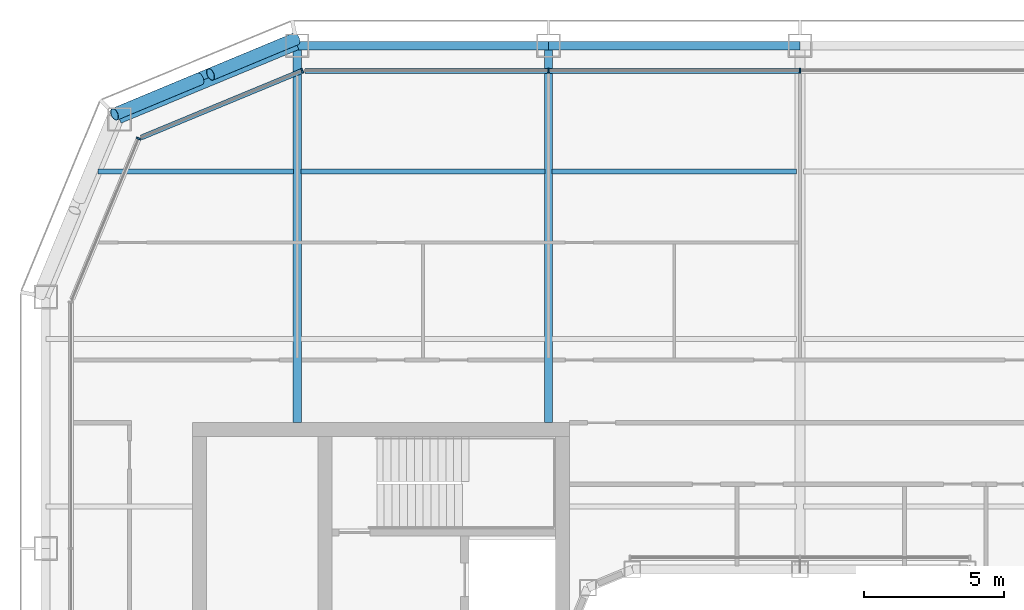
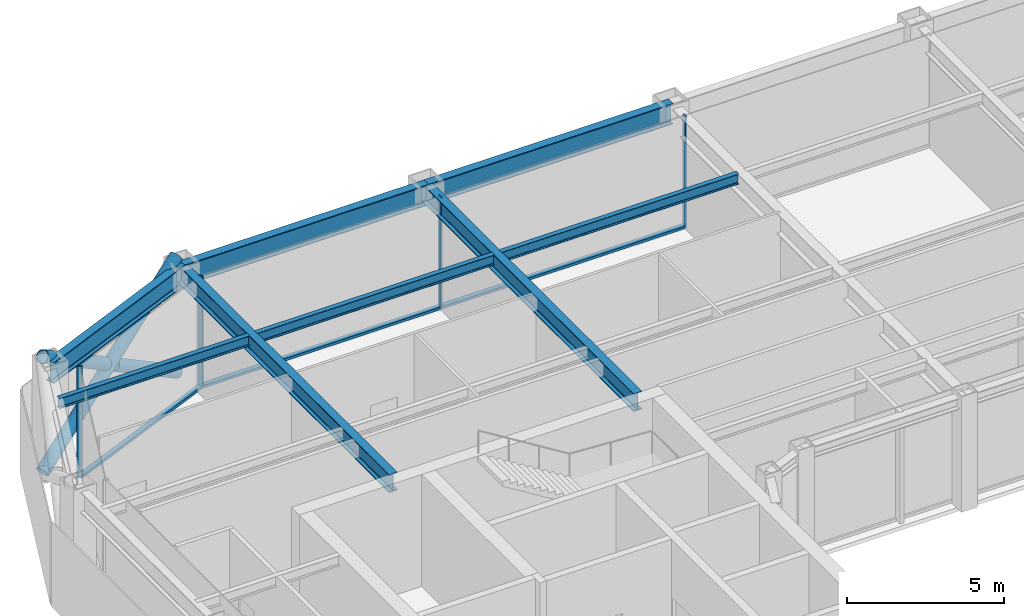
# One storey, part 8 of 19: 10 members, 8 beams, 3 elements without a shape of their own.
"""IFC4 building model written with IfcOpenShell, lengths in metres."""

from ifc_helpers import new_model, si_unit, direction, frame, origin, origin_2d, place, context, subcontext, project, spatial, rectangle, hollow_circle, i_section, extrude, material, layer, layer_set, material_profile, profile_set, type_object, element, aggregate, save


model = new_model("IFC4")

# Units and contexts
model_context = context("Model", 3, precision=1e-05, world=origin(), true_north=direction((0.0, 1.0)))
body_context = subcontext(model_context, "Body", "Model", "MODEL_VIEW")
ifc_project = project(units=[si_unit("LENGTHUNIT", "METRE"), si_unit("AREAUNIT", "SQUARE_METRE"), si_unit("VOLUMEUNIT", "CUBIC_METRE"), si_unit("PLANEANGLEUNIT", "RADIAN"), si_unit("MASSUNIT", "GRAM", prefix="KILO")], contexts=[model_context])

# Site, building, storey
site_placement = place(None, origin())
site = spatial("IfcSite", under=ifc_project, at=site_placement, CompositionType="ELEMENT")
building_placement = place(site_placement, origin())
building = spatial("IfcBuilding", under=site, at=building_placement, Name="Siwar Civic Tower", CompositionType="ELEMENT")
storey_placement = place(building_placement, frame((0.0, 0.0, 228.699951171875)))
storey = spatial("IfcBuildingStorey", under=building, at=storey_placement, Name="L49", CompositionType="ELEMENT", Elevation=228.699951171875)

# Curtain wall, members
ifc_material_1 = material(Name="Aluminium and glass", Category="aluminium")
ifc_layer_1 = layer(ifc_material_1, 0.179931640625)
ifc_layer_set_1 = layer_set([ifc_layer_1], Name="Aluminium and glass")
curtain_wall_type_1 = type_object("IfcCurtainWallType", Name="ENV-CW-C", PredefinedType="NOTDEFINED", material=ifc_layer_set_1)
curtain_wall_1_placement = place(storey_placement, origin())
curtain_wall_1 = element("IfcCurtainWall", 1, at=curtain_wall_1_placement, inside=storey, type_object=curtain_wall_type_1, Name="Curtain wall C N", PredefinedType="NOTDEFINED")
ifc_material_2 = material(Name="Aluminium 6063-T6", Category="aluminium")
ifc_material_profile_1 = material_profile(ifc_material_2, rectangle(XDim=0.179931640625, YDim=0.06005859375, at=origin_2d()), Name="AL 180x60")
ifc_profile_set_1 = profile_set([ifc_material_profile_1], Name="Aluminium 6063-T6")
member_type_1 = type_object("IfcMemberType", Name="ENV-MULLION-C", PredefinedType="MULLION", material=ifc_profile_set_1)
member_1_placement = place(storey_placement, frame((0.0, 26.10009765625, 0.0), z_axis=(0.0, 0.0, 1.0), x_axis=(0.0, -1.0, 0.0)))
member_1 = element("IfcMember", 2, at=member_1_placement, type_object=member_type_1, Name="Mullion C N 3", PredefinedType="MULLION", context=body_context, shape_type="SweptSolid", body=[
    extrude(rectangle(XDim=0.179931640625, YDim=0.06005859375, at=origin_2d()), origin(), (0.0, 0.0, 1.0), 4.35009765625),
])
member_2_placement = place(storey_placement, frame((-9.0, 26.10009765625, 0.0), z_axis=(0.0, 0.0, 1.0), x_axis=(0.0, -1.0, 0.0)))
member_2 = element("IfcMember", 3, at=member_2_placement, type_object=member_type_1, Name="Mullion C N 4", PredefinedType="MULLION", context=body_context, shape_type="SweptSolid", body=[
    extrude(rectangle(XDim=0.179931640625, YDim=0.06005859375, at=origin_2d()), origin(), (0.0, 0.0, 1.0), 4.35009765625),
])

# Curtain wall, member
ifc_material_3 = material(Name="Aluminium clad insulated panel", Category="aluminium")
ifc_layer_2 = layer(ifc_material_3, 0.179931640625)
ifc_layer_set_2 = layer_set([ifc_layer_2], Name="Aluminium clad insulated panel")
curtain_wall_type_2 = type_object("IfcCurtainWallType", Name="ENV-CW-CX", PredefinedType="NOTDEFINED", material=ifc_layer_set_2)
curtain_wall_2_placement = place(storey_placement, origin())
curtain_wall_2 = element("IfcCurtainWall", 4, at=curtain_wall_2_placement, inside=storey, type_object=curtain_wall_type_2, Name="Curtain wall C NW1", PredefinedType="NOTDEFINED")
member_3_placement = place(storey_placement, frame((-17.821044921875, 26.10009765625, 0.0), z_axis=(0.0, 0.0, 1.0), x_axis=(0.382683432365, -0.923879532511, 0.0)))
member_3 = element("IfcMember", 5, at=member_3_placement, type_object=member_type_1, Name="Mullion C NW1 1", PredefinedType="MULLION", context=body_context, shape_type="SweptSolid", body=[
    extrude(rectangle(XDim=0.179931640625, YDim=0.06005859375, at=origin_2d()), origin(), (0.0, 0.0, 1.0), 4.35009765625),
])

curtain_wall_3_placement = place(storey_placement, origin())
curtain_wall_3 = element("IfcCurtainWall", 6, at=curtain_wall_3_placement, inside=storey, type_object=curtain_wall_type_2, Name="Curtain wall C NW2", PredefinedType="NOTDEFINED")
member_4_placement = place(storey_placement, frame((-23.675048828125, 23.675048828125, 0.0), z_axis=(0.0, 0.0, 1.0), x_axis=(0.923879532511, -0.382683432365, 0.0)))
member_4 = element("IfcMember", 7, at=member_4_placement, type_object=member_type_1, Name="Mullion C NW2 1", PredefinedType="MULLION", context=body_context, shape_type="SweptSolid", body=[
    extrude(rectangle(XDim=0.179931640625, YDim=0.06005859375, at=origin_2d()), origin(), (0.0, 0.0, 1.0), 4.35009765625),
])
aggregate(curtain_wall_3, [member_4])

# Member
ifc_material_4 = material(Name="Aluminium 6063-T6", Category="aluminium")
ifc_material_profile_2 = material_profile(ifc_material_4, rectangle(XDim=0.179931640625, YDim=0.10009765625, at=origin_2d()), Name="AL 180x100")
ifc_profile_set_2 = profile_set([ifc_material_profile_2], Name="Aluminium 6063-T6")
member_type_2 = type_object("IfcMemberType", Name="ENV-TRANSOM-C", PredefinedType="USERDEFINED", material=ifc_profile_set_2)
member_5_placement = place(storey_placement, frame((-0.030029296875, 26.10009765625, 0.050048828125), z_axis=(-1.0, 0.0, 0.0), x_axis=(0.0, -1.0, 0.0)))
member_5 = element("IfcMember", 8, at=member_5_placement, type_object=member_type_2, Name="Transom C N 3", ObjectType="TRANSOM", PredefinedType="USERDEFINED", context=body_context, shape_type="SweptSolid", body=[
    extrude(rectangle(XDim=0.179931640625, YDim=0.10009765625, at=origin_2d()), origin(), (0.0, 0.0, 1.0), 8.93994140625),
])

member_6_placement = place(storey_placement, frame((-9.030029296875, 26.10009765625, 0.050048828125), z_axis=(-1.0, 0.0, 0.0), x_axis=(0.0, -1.0, 0.0)))
member_6 = element("IfcMember", 9, at=member_6_placement, type_object=member_type_2, Name="Transom C N 4", ObjectType="TRANSOM", PredefinedType="USERDEFINED", context=body_context, shape_type="SweptSolid", body=[
    extrude(rectangle(XDim=0.179931640625, YDim=0.10009765625, at=origin_2d()), origin(), (0.0, 0.0, 1.0), 8.68603515625),
])

aggregate(curtain_wall_1, [member_1, member_2, member_5, member_6])

member_7_placement = place(storey_placement, frame((-17.8486328125, 26.088623046875, 0.050048828125), z_axis=(-0.923882011223, -0.38267744817, 0.0), x_axis=(0.38267744817, -0.923882011223, 0.0)))
member_7 = element("IfcMember", 10, at=member_7_placement, type_object=member_type_2, Name="Transom C NW1 1", ObjectType="TRANSOM", PredefinedType="USERDEFINED", context=body_context, shape_type="SweptSolid", body=[
    extrude(rectangle(XDim=0.179931640625, YDim=0.10009765625, at=origin_2d()), origin(), (0.0, 0.0, 1.0), 6.201904296875),
])

aggregate(curtain_wall_2, [member_3, member_7])

# Members
ifc_material_5 = material(Name="Steel S355", Category="steel")
ifc_material_profile_3 = material_profile(ifc_material_5, hollow_circle(Radius=0.228515625, WallThickness=0.02001953125, at=origin_2d()), Name="CHS457x20")
ifc_profile_set_3 = profile_set([ifc_material_profile_3], Name="Steel S355")
member_type_3 = type_object("IfcMemberType", Name="STR-BR-CHS457x20", PredefinedType="BRACE", material=ifc_profile_set_3)
member_8_placement = place(storey_placement, frame((-24.540771484375, 24.540771484375, 0.0), z_axis=(0.777554562952, 0.323905527954, 0.538975055633), x_axis=(-0.384538969033, 0.923108759191, 0.0)))
element("IfcMember", 11, at=member_8_placement, inside=storey, type_object=member_type_3, Name="L49/brc/CNW1-9-0-0", PredefinedType="BRACE", context=body_context, shape_type="SweptSolid", body=[
    extrude(hollow_circle(Radius=0.228515625, WallThickness=0.02001953125, at=origin_2d()), origin(), (0.0, 0.0, 1.0), 8.34912109375),
])
for number, where, z_axis, x_axis, name in (
    (12, (-18.048828125, 27.2451171875, 0.0), (-0.777546448489, -0.323884455881, 0.538999424564), (0.38452107079, -0.92311621485, 0.0), "L49/brc/CNW1-9-0-4"),
    (13, (-21.486572265625, 25.81298828125, 2.383056640625), (-0.777572496853, -0.323895306243, 0.538955325357), (0.38452107079, -0.92311621485, 0.0), "L49/brc/CNW1-9-0-5"),
):
    element("IfcMember", number, at=place(storey_placement, frame(where, z_axis=z_axis, x_axis=x_axis)), inside=storey, type_object=member_type_3, Name=name, PredefinedType="BRACE", context=body_context, shape_type="SweptSolid", body=[
        extrude(hollow_circle(Radius=0.228515625, WallThickness=0.02001953125, at=origin_2d()), origin(), (0.0, 0.0, 1.0), 3.927978515625),
    ])

# Beams
ifc_material_6 = material(Name="Steel S355", Category="steel")
ifc_material_profile_4 = material_profile(ifc_material_6, i_section(OverallWidth=0.179931640625, OverallDepth=0.39990234375, WebThickness=0.008544921875, FlangeThickness=0.013427734375, FilletRadius=0.02099609375, at=origin_2d()), Name="IPE400")
ifc_profile_set_4 = profile_set([ifc_material_profile_4], Name="Steel S355")
beam_type_1 = type_object("IfcBeamType", Name="STR-FB-IPE400", PredefinedType="JOIST", material=ifc_profile_set_4)
beam_1_placement = place(storey_placement, frame((-25.135986328125, 22.5, 4.150146484375), z_axis=(1.0, 0.0, 0.0), x_axis=(0.0, 1.0, 0.0)))
element("IfcBeam", 14, at=beam_1_placement, inside=storey, type_object=beam_type_1, Name="L49/bm/F037", PredefinedType="JOIST", context=body_context, shape_type="SweptSolid", body=[
    extrude(i_section(OverallWidth=0.179931640625, OverallDepth=0.39990234375, WebThickness=0.008544921875, FlangeThickness=0.013427734375, FilletRadius=0.02099609375, at=origin_2d()), origin(), (0.0, 0.0, 1.0), 7.006103515625),
])
for number, where, z_axis, x_axis, name in (
    (15, (-17.8701171875, 22.5, 4.150146484375), (1.0, 0.0, 0.0), (0.0, 1.0, 0.0), "L49/bm/F038"),
    (16, (-8.8701171875, 22.5, 4.150146484375), (1.0, 0.0, 0.0), (0.0, 1.0, 0.0), "L49/bm/F039"),
):
    element("IfcBeam", number, at=place(storey_placement, frame(where, z_axis=z_axis, x_axis=x_axis)), inside=storey, type_object=beam_type_1, Name=name, PredefinedType="JOIST", context=body_context, shape_type="SweptSolid", body=[
        extrude(i_section(OverallWidth=0.179931640625, OverallDepth=0.39990234375, WebThickness=0.008544921875, FlangeThickness=0.013427734375, FilletRadius=0.02099609375, at=origin_2d()), origin(), (0.0, 0.0, 1.0), 8.740234375),
    ])
ifc_material_7 = material(Name="Steel S355", Category="steel")
ifc_material_profile_5 = material_profile(ifc_material_7, i_section(OverallWidth=0.300048828125, OverallDepth=0.699951171875, WebThickness=0.01708984375, FlangeThickness=0.031982421875, FilletRadius=0.027099609375, at=origin_2d()), Name="HEB700")
ifc_profile_set_5 = profile_set([ifc_material_profile_5], Name="Steel S355")
beam_type_2 = type_object("IfcBeamType", Name="STR-PG-HEB700", PredefinedType="BEAM", material=ifc_profile_set_5)
for number, where, z_axis, x_axis, name in (
    (17, (-18.0, 13.5, 4.0), (0.0, 1.0, 0.0), (-1.0, 0.0, 0.0), "L49/bm/G02"),
    (18, (-9.0, 13.5, 4.0), (0.0, 1.0, 0.0), (-1.0, 0.0, 0.0), "L49/bm/G04"),
):
    element("IfcBeam", number, at=place(storey_placement, frame(where, z_axis=z_axis, x_axis=x_axis)), inside=storey, type_object=beam_type_2, Name=name, PredefinedType="BEAM", context=body_context, shape_type="SweptSolid", body=[
        extrude(i_section(OverallWidth=0.300048828125, OverallDepth=0.699951171875, WebThickness=0.01708984375, FlangeThickness=0.031982421875, FilletRadius=0.027099609375, at=origin_2d()), origin(), (0.0, 0.0, 1.0), 13.5),
    ])
ifc_material_8 = material(Name="Steel S355", Category="steel")
ifc_material_profile_6 = material_profile(ifc_material_8, i_section(OverallWidth=0.300048828125, OverallDepth=0.800048828125, WebThickness=0.017578125, FlangeThickness=0.032958984375, FilletRadius=0.030029296875, at=origin_2d()), Name="HEB800")
ifc_profile_set_6 = profile_set([ifc_material_profile_6], Name="Steel S355")
beam_type_3 = type_object("IfcBeamType", Name="STR-SB-HEB800", PredefinedType="BEAM", material=ifc_profile_set_6)
for number, where, z_axis, x_axis, name in (
    (19, (0.0, 27.0, 3.949951171875), (-1.0, 0.0, 0.0), (0.0, -1.0, 0.0), "L49/bm/SN-2"),
    (20, (-9.0, 27.0, 3.949951171875), (-1.0, 0.0, 0.0), (0.0, -1.0, 0.0), "L49/bm/SN-3"),
):
    element("IfcBeam", number, at=place(storey_placement, frame(where, z_axis=z_axis, x_axis=x_axis)), inside=storey, type_object=beam_type_3, Name=name, PredefinedType="BEAM", context=body_context, shape_type="SweptSolid", body=[
        extrude(i_section(OverallWidth=0.300048828125, OverallDepth=0.800048828125, WebThickness=0.017578125, FlangeThickness=0.032958984375, FilletRadius=0.030029296875, at=origin_2d()), origin(), (0.0, 0.0, 1.0), 9.0),
    ])
beam_2_placement = place(storey_placement, frame((-18.0, 27.0, 3.949951171875), z_axis=(-0.923883353507, -0.382674207535, 0.0), x_axis=(0.382674207535, -0.923883353507, 0.0)))
element("IfcBeam", 21, at=beam_2_placement, inside=storey, type_object=beam_type_3, Name="L49/bm/SNW1-0", PredefinedType="BEAM", context=body_context, shape_type="SweptSolid", body=[
    extrude(i_section(OverallWidth=0.300048828125, OverallDepth=0.800048828125, WebThickness=0.017578125, FlangeThickness=0.032958984375, FilletRadius=0.030029296875, at=origin_2d()), origin(), (0.0, 0.0, 1.0), 6.888427734375),
])

save(model, "model.ifc")
